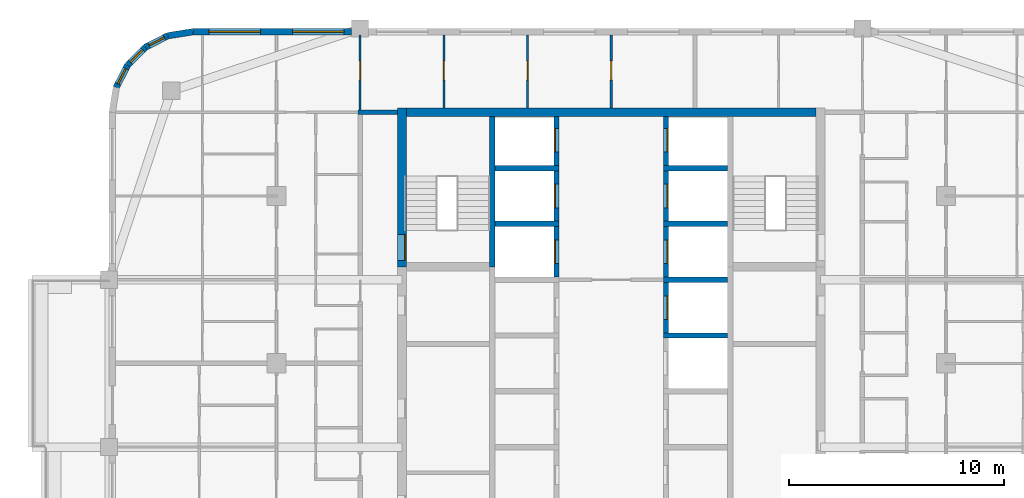
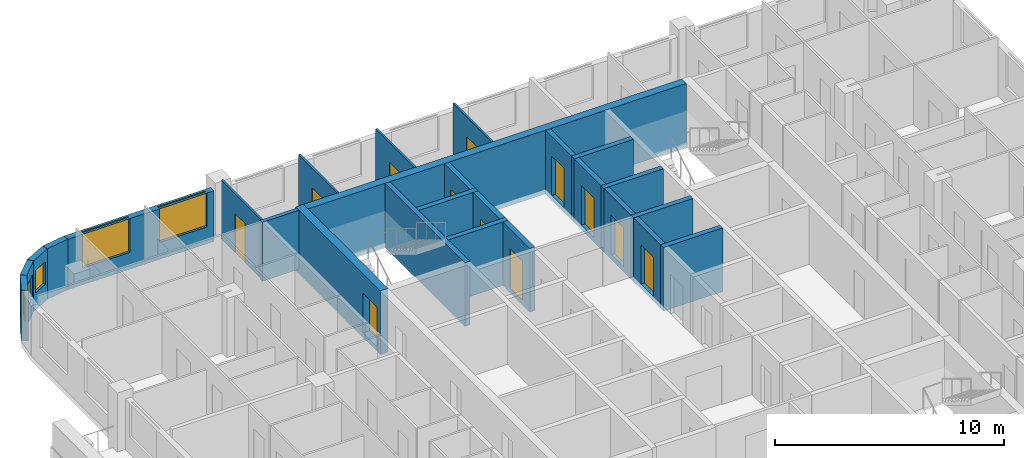
# One storey, part 10 of 17: 26 walls, 12 doors, 5 windows, 17 openings.
"""IFC4 building model written with IfcOpenShell, lengths in metres."""

from ifc_helpers import new_model, si_unit, direction, frame, frame_2d, origin, place, context, subcontext, project, spatial, rectangle, extrude, material, layer, layer_set, type_object, element, fill, save


model = new_model("IFC4")

# Units and contexts
model_context = context("Model", 3, precision=1e-05, world=origin(), true_north=direction((0.0, 1.0)))
body_context = subcontext(model_context, "Body", "Model", "MODEL_VIEW")
ifc_project = project(units=[si_unit("LENGTHUNIT", "METRE"), si_unit("AREAUNIT", "SQUARE_METRE"), si_unit("VOLUMEUNIT", "CUBIC_METRE"), si_unit("PLANEANGLEUNIT", "RADIAN"), si_unit("MASSUNIT", "GRAM", prefix="KILO")], contexts=[model_context])

# Site, building, storey
site_placement = place(None, origin())
site = spatial("IfcSite", under=ifc_project, at=site_placement, CompositionType="ELEMENT")
building_placement = place(site_placement, origin())
building = spatial("IfcBuilding", under=site, at=building_placement, Name="Ludao Terraces", CompositionType="ELEMENT")
storey_placement = place(building_placement, frame((0.0, 0.0, 231.300048828125)))
storey = spatial("IfcBuildingStorey", under=building, at=storey_placement, Name="L63", CompositionType="ELEMENT", Elevation=231.300048828125)

# Wall, opening, door
ifc_material_1 = material(Name="Concrete C50", Category="concrete")
ifc_layer_1 = layer(ifc_material_1, 0.39990234375)
ifc_layer_set_1 = layer_set([ifc_layer_1], Name="Core wall 400 C50")
wall_type_1 = type_object("IfcWallType", Name="Core wall 400 C50", PredefinedType="SOLIDWALL", material=ifc_layer_set_1)
wall_1_placement = place(storey_placement, frame((75.25, 77.300048828125, -0.25), z_axis=(0.0, 0.0, 1.0), x_axis=(0.0, 1.0, 0.0)))
wall_1 = element("IfcWall", 1, at=wall_1_placement, inside=storey, type_object=wall_type_1, Name="Core wall L63 outer-W-S1", PredefinedType="SOLIDWALL", context=body_context, shape_type="SweptSolid", body=[
    extrude(rectangle(XDim=7.39990234375, YDim=0.39990234375, at=frame_2d((3.699951171875, 0.0))), origin(), (0.0, 0.0, 1.0), 3.39990234375),
])
opening_1_placement = place(wall_1_placement, frame((0.300048828125, 0.0, 0.25)))
opening_1 = element("IfcOpeningElement", 2, at=opening_1_placement, cuts=wall_1, Name="Opening R22-109", PredefinedType="OPENING", context=body_context, shape_type="SweptSolid", body=[
    extrude(rectangle(XDim=1.199951171875, YDim=2.10009765625, at=frame_2d((0.60009765625, 1.050048828125))), frame((0.0, 0.2099609375, 0.0), z_axis=(0.0, -1.0, 0.0), x_axis=(1.0, 0.0, 0.0)), (0.0, 0.0, 1.0), 0.419921875),
])
ifc_material_2 = material(Name="Steel Q235", Category="steel")
door_type_1 = type_object("IfcDoorType", Name="INT Stair door 1200", OperationType="DOUBLE_DOOR_SINGLE_SWING", PredefinedType="DOOR", material=ifc_material_2)
door_1_placement = place(opening_1_placement, origin())
door_1 = element("IfcDoor", 3, at=door_1_placement, inside=storey, type_object=door_type_1, Name="DOOR 109", OperationType="DOUBLE_DOOR_SINGLE_SWING", OverallHeight=2.10009765625, OverallWidth=1.199951171875, PredefinedType="DOOR", context=body_context, shape_type="SweptSolid", body=[
    extrude(rectangle(XDim=1.199951171875, YDim=2.10009765625, at=frame_2d((0.60009765625, 1.050048828125))), frame((0.0, -0.134765625, 0.0), z_axis=(0.0, -1.0, 0.0), x_axis=(1.0, 0.0, 0.0)), (0.0, 0.0, 1.0), 0.050048828125),
])
fill(opening_1, door_1)

# Wall
wall_2_placement = place(storey_placement, frame((75.449951171875, 84.5, -0.25), z_axis=(0.0, 0.0, 1.0), x_axis=(1.0, 0.0, 0.0)))
element("IfcWall", 4, at=wall_2_placement, inside=storey, type_object=wall_type_1, Name="Core wall L63 outer-N", PredefinedType="SOLIDWALL", context=body_context, shape_type="SweptSolid", body=[
    extrude(rectangle(XDim=19.10009765625, YDim=0.39990234375, at=frame_2d((9.550048828125, 0.0))), origin(), (0.0, 0.0, 1.0), 3.39990234375),
])

# Wall, openings, windows
ifc_material_3 = material(Name="Granite cladding", Category="masonry")
ifc_layer_2 = layer(ifc_material_3, 0.0400390625, Category="stone")
ifc_material_4 = material(Name="Mineral wool")
ifc_layer_3 = layer(ifc_material_4, 0.06005859375)
ifc_material_5 = material(Name="Concrete C40", Category="concrete")
ifc_layer_4 = layer(ifc_material_5, 0.199951171875, Category="concrete")
ifc_layer_set_2 = layer_set([ifc_layer_2, ifc_layer_3, ifc_layer_4], Name="ENV Stone-clad wall 300")
wall_type_2 = type_object("IfcWallType", Name="ENV Stone-clad wall 300", PredefinedType="SOLIDWALL", material=ifc_layer_set_2)
wall_3_placement = place(storey_placement, frame((65.5, 88.25, 0.0), z_axis=(0.0, 0.0, 1.0), x_axis=(1.0, 0.0, 0.0)))
wall_3 = element("IfcWall", 5, at=wall_3_placement, inside=storey, type_object=wall_type_2, Name="EW-L63-N1", PredefinedType="SOLIDWALL", context=body_context, shape_type="SweptSolid", body=[
    extrude(rectangle(XDim=7.39990234375, YDim=0.300048828125, at=frame_2d((3.699951171875, 0.0))), origin(), (0.0, 0.0, 1.0), 2.699951171875),
])
opening_2_placement = place(wall_3_placement, frame((0.75, 0.0, 0.89990234375)))
opening_2 = element("IfcOpeningElement", 6, at=opening_2_placement, cuts=wall_3, Name="Opening W1", PredefinedType="OPENING", context=body_context, shape_type="SweptSolid", body=[
    extrude(rectangle(XDim=2.39990234375, YDim=1.800048828125, at=frame_2d((1.199951171875, 0.89990234375))), frame((0.0, 0.16015625, 0.0), z_axis=(0.0, -1.0, 0.0), x_axis=(1.0, 0.0, 0.0)), (0.0, 0.0, 1.0), 0.320068359375),
])
opening_3_placement = place(wall_3_placement, frame((4.64990234375, 0.0, 0.89990234375)))
opening_3 = element("IfcOpeningElement", 7, at=opening_3_placement, cuts=wall_3, Name="Opening W1", PredefinedType="OPENING", context=body_context, shape_type="SweptSolid", body=[
    extrude(rectangle(XDim=2.39990234375, YDim=1.800048828125, at=frame_2d((1.199951171875, 0.89990234375))), frame((0.0, 0.16015625, 0.0), z_axis=(0.0, -1.0, 0.0), x_axis=(1.0, 0.0, 0.0)), (0.0, 0.0, 1.0), 0.320068359375),
])
ifc_material_6 = material(Name="Clear glass in aluminium frame", Category="aluminium")
ifc_layer_5 = layer(ifc_material_6, 0.06005859375)
ifc_layer_set_3 = layer_set([ifc_layer_5], Name="ENV Window W1 2400x1800")
window_type_1 = type_object("IfcWindowType", Name="ENV Window W1 2400x1800", PartitioningType="DOUBLE_PANEL_VERTICAL", PredefinedType="WINDOW", material=ifc_layer_set_3)
window_1_placement = place(opening_2_placement, origin())
window_1 = element("IfcWindow", 8, at=window_1_placement, inside=storey, type_object=window_type_1, Name="W-L63-N1-1", OverallHeight=1.800048828125, OverallWidth=2.39990234375, PartitioningType="DOUBLE_PANEL_VERTICAL", PredefinedType="WINDOW", context=body_context, shape_type="SweptSolid", body=[
    extrude(rectangle(XDim=2.39990234375, YDim=1.800048828125, at=frame_2d((1.199951171875, 0.89990234375))), frame((0.0, 0.030029296875, 0.0), z_axis=(0.0, -1.0, 0.0), x_axis=(1.0, 0.0, 0.0)), (0.0, 0.0, 1.0), 0.06005859375),
])
fill(opening_2, window_1)
window_2_placement = place(opening_3_placement, origin())
window_2 = element("IfcWindow", 9, at=window_2_placement, inside=storey, type_object=window_type_1, Name="W-L63-N1-2", OverallHeight=1.800048828125, OverallWidth=2.39990234375, PartitioningType="DOUBLE_PANEL_VERTICAL", PredefinedType="WINDOW", context=body_context, shape_type="SweptSolid", body=[
    extrude(rectangle(XDim=2.39990234375, YDim=1.800048828125, at=frame_2d((1.199951171875, 0.89990234375))), frame((0.0, 0.030029296875, 0.0), z_axis=(0.0, -1.0, 0.0), x_axis=(1.0, 0.0, 0.0)), (0.0, 0.0, 1.0), 0.06005859375),
])
fill(opening_3, window_2)

# Wall
wall_4_placement = place(storey_placement, frame((65.5, 88.25, 0.0), z_axis=(0.0, 0.0, 1.0), x_axis=(-0.987678452879, -0.156496880861, 0.0)))
element("IfcWall", 10, at=wall_4_placement, inside=storey, type_object=wall_type_2, Name="EW-L63-NW1", PredefinedType="SOLIDWALL", context=body_context, shape_type="SweptSolid", body=[
    extrude(rectangle(XDim=1.173095703125, YDim=0.300048828125, at=frame_2d((0.58642578125, 0.0))), origin(), (0.0, 0.0, 1.0), 2.699951171875),
])

# Wall, opening, window
wall_5_placement = place(storey_placement, frame((64.34130859375, 88.06640625, 0.0), z_axis=(0.0, 0.0, 1.0), x_axis=(-0.890988677504, -0.454025524128, 0.0)))
wall_5 = element("IfcWall", 11, at=wall_5_placement, inside=storey, type_object=wall_type_2, Name="EW-L63-NW2", PredefinedType="SOLIDWALL", context=body_context, shape_type="SweptSolid", body=[
    extrude(rectangle(XDim=1.17333984375, YDim=0.300048828125, at=frame_2d((0.586669921875, 0.0))), origin(), (0.0, 0.0, 1.0), 2.699951171875),
])
opening_4_placement = place(wall_5_placement, frame((0.1865234375, 0.0, 0.89990234375)))
opening_4 = element("IfcOpeningElement", 12, at=opening_4_placement, cuts=wall_5, Name="Opening W3", PredefinedType="OPENING", context=body_context, shape_type="SweptSolid", body=[
    extrude(rectangle(XDim=0.800048828125, YDim=1.199951171875, at=frame_2d((0.39990234375, 0.60009765625))), frame((0.0, 0.16015625, 0.0), z_axis=(0.0, -1.0, 0.0), x_axis=(1.0, 0.0, 0.0)), (0.0, 0.0, 1.0), 0.320068359375),
])
ifc_layer_6 = layer(ifc_material_6, 0.06005859375)
ifc_layer_set_4 = layer_set([ifc_layer_6], Name="ENV Window W3 800x1200")
window_type_2 = type_object("IfcWindowType", Name="ENV Window W3 800x1200", PartitioningType="SINGLE_PANEL", PredefinedType="WINDOW", material=ifc_layer_set_4)
window_3_placement = place(opening_4_placement, origin())
window_3 = element("IfcWindow", 13, at=window_3_placement, inside=storey, type_object=window_type_2, Name="W-L63-NW2", OverallHeight=1.199951171875, OverallWidth=0.800048828125, PartitioningType="SINGLE_PANEL", PredefinedType="WINDOW", context=body_context, shape_type="SweptSolid", body=[
    extrude(rectangle(XDim=0.800048828125, YDim=1.199951171875, at=frame_2d((0.39990234375, 0.60009765625))), frame((0.0, 0.030029296875, 0.0), z_axis=(0.0, -1.0, 0.0), x_axis=(1.0, 0.0, 0.0)), (0.0, 0.0, 1.0), 0.06005859375),
])
fill(opening_4, window_3)

wall_6_placement = place(storey_placement, frame((63.2958984375, 87.53369140625, 0.0), z_axis=(0.0, 0.0, 1.0), x_axis=(-0.707106781187, -0.707106781187, 0.0)))
wall_6 = element("IfcWall", 14, at=wall_6_placement, inside=storey, type_object=wall_type_2, Name="EW-L63-NW3", PredefinedType="SOLIDWALL", context=body_context, shape_type="SweptSolid", body=[
    extrude(rectangle(XDim=1.173095703125, YDim=0.300048828125, at=frame_2d((0.58642578125, 0.0))), origin(), (0.0, 0.0, 1.0), 2.699951171875),
])
opening_5_placement = place(wall_6_placement, frame((0.1865234375, 0.0, 0.89990234375)))
opening_5 = element("IfcOpeningElement", 15, at=opening_5_placement, cuts=wall_6, Name="Opening W3", PredefinedType="OPENING", context=body_context, shape_type="SweptSolid", body=[
    extrude(rectangle(XDim=0.800048828125, YDim=1.199951171875, at=frame_2d((0.39990234375, 0.60009765625))), frame((0.0, 0.16015625, 0.0), z_axis=(0.0, -1.0, 0.0), x_axis=(1.0, 0.0, 0.0)), (0.0, 0.0, 1.0), 0.320068359375),
])
window_4_placement = place(opening_5_placement, origin())
window_4 = element("IfcWindow", 16, at=window_4_placement, inside=storey, type_object=window_type_2, Name="W-L63-NW3", OverallHeight=1.199951171875, OverallWidth=0.800048828125, PartitioningType="SINGLE_PANEL", PredefinedType="WINDOW", context=body_context, shape_type="SweptSolid", body=[
    extrude(rectangle(XDim=0.800048828125, YDim=1.199951171875, at=frame_2d((0.39990234375, 0.60009765625))), frame((0.0, 0.030029296875, 0.0), z_axis=(0.0, -1.0, 0.0), x_axis=(1.0, 0.0, 0.0)), (0.0, 0.0, 1.0), 0.06005859375),
])
fill(opening_5, window_4)

wall_7_placement = place(storey_placement, frame((62.46630859375, 86.7041015625, 0.0), z_axis=(0.0, 0.0, 1.0), x_axis=(-0.454025524128, -0.890988677504, 0.0)))
wall_7 = element("IfcWall", 17, at=wall_7_placement, inside=storey, type_object=wall_type_2, Name="EW-L63-NW4", PredefinedType="SOLIDWALL", context=body_context, shape_type="SweptSolid", body=[
    extrude(rectangle(XDim=1.17333984375, YDim=0.300048828125, at=frame_2d((0.586669921875, 0.0))), origin(), (0.0, 0.0, 1.0), 2.699951171875),
])
opening_6_placement = place(wall_7_placement, frame((0.1865234375, 0.0, 0.89990234375)))
opening_6 = element("IfcOpeningElement", 18, at=opening_6_placement, cuts=wall_7, Name="Opening W3", PredefinedType="OPENING", context=body_context, shape_type="SweptSolid", body=[
    extrude(rectangle(XDim=0.800048828125, YDim=1.199951171875, at=frame_2d((0.39990234375, 0.60009765625))), frame((0.0, 0.16015625, 0.0), z_axis=(0.0, -1.0, 0.0), x_axis=(1.0, 0.0, 0.0)), (0.0, 0.0, 1.0), 0.320068359375),
])
window_5_placement = place(opening_6_placement, origin())
window_5 = element("IfcWindow", 19, at=window_5_placement, inside=storey, type_object=window_type_2, Name="W-L63-NW4", OverallHeight=1.199951171875, OverallWidth=0.800048828125, PartitioningType="SINGLE_PANEL", PredefinedType="WINDOW", context=body_context, shape_type="SweptSolid", body=[
    extrude(rectangle(XDim=0.800048828125, YDim=1.199951171875, at=frame_2d((0.39990234375, 0.60009765625))), frame((0.0, 0.030029296875, 0.0), z_axis=(0.0, -1.0, 0.0), x_axis=(1.0, 0.0, 0.0)), (0.0, 0.0, 1.0), 0.06005859375),
])
fill(opening_6, window_5)

# Wall
ifc_material_7 = material(Name="Autoclaved aerated concrete block B06 A3.5", Category="concrete")
ifc_layer_7 = layer(ifc_material_7, 0.199951171875)
ifc_layer_set_5 = layer_set([ifc_layer_7], Name="INT Entrance wall 200")
wall_type_3 = type_object("IfcWallType", Name="INT Entrance wall 200", PredefinedType="PARTITIONING", material=ifc_layer_set_5)
wall_8_placement = place(storey_placement, frame((73.2001953125, 84.5, 0.0), z_axis=(0.0, 0.0, 1.0), x_axis=(1.0, 0.0, 0.0)))
element("IfcWall", 20, at=wall_8_placement, inside=storey, type_object=wall_type_3, Name="PW-L63-PW066", PredefinedType="PARTITIONING", context=body_context, shape_type="SweptSolid", body=[
    extrude(rectangle(XDim=1.849853515625, YDim=0.199951171875, at=frame_2d((0.9248046875, 0.0))), origin(), (0.0, 0.0, 1.0), 3.14990234375),
])

# Wall, opening, door
ifc_material_8 = material(Name="Gypsum plasterboard", Category="gypsum")
ifc_layer_8 = layer(ifc_material_8, 0.012451171875, Category="gypsum")
ifc_layer_9 = layer(ifc_material_4, 0.06005859375, Name="insulation")
ifc_layer_10 = layer(ifc_material_2, 0.014892578125, Name="stud")
ifc_layer_11 = layer(ifc_material_8, 0.012451171875, Category="gypsum")
ifc_layer_set_6 = layer_set([ifc_layer_8, ifc_layer_9, ifc_layer_10, ifc_layer_11], Name="INT Partition 100")
wall_type_4 = type_object("IfcWallType", Name="INT Partition 100", PredefinedType="PARTITIONING", material=ifc_layer_set_6)
wall_9_placement = place(storey_placement, frame((73.300048828125, 84.60009765625, 0.0), z_axis=(0.0, 0.0, 1.0), x_axis=(0.0, 1.0, 0.0)))
wall_9 = element("IfcWall", 21, at=wall_9_placement, inside=storey, type_object=wall_type_4, Name="PW-L63-PW079", PredefinedType="PARTITIONING", context=body_context, shape_type="SweptSolid", body=[
    extrude(rectangle(XDim=3.5, YDim=0.10009765625, at=frame_2d((1.75, 0.0))), origin(), (0.0, 0.0, 1.0), 3.14990234375),
])
opening_7_placement = place(wall_9_placement, frame((1.39990234375, 0.0, 0.0)))
opening_7 = element("IfcOpeningElement", 22, at=opening_7_placement, cuts=wall_9, Name="Opening R22-133", PredefinedType="OPENING", context=body_context, shape_type="SweptSolid", body=[
    extrude(rectangle(XDim=0.89990234375, YDim=2.10009765625, at=frame_2d((0.449951171875, 1.050048828125))), frame((0.0, 0.06005859375, 0.0), z_axis=(0.0, -1.0, 0.0), x_axis=(1.0, 0.0, 0.0)), (0.0, 0.0, 1.0), 0.1201171875),
])
ifc_material_9 = material(Name="Timber door leaf", Category="wood")
door_type_2 = type_object("IfcDoorType", Name="INT Room door 900", OperationType="SINGLE_SWING_LEFT", PredefinedType="DOOR", material=ifc_material_9)
door_2_placement = place(opening_7_placement, origin())
door_2 = element("IfcDoor", 23, at=door_2_placement, inside=storey, type_object=door_type_2, Name="DOOR 133", OperationType="SINGLE_SWING_LEFT", OverallHeight=2.10009765625, OverallWidth=0.89990234375, PredefinedType="DOOR", context=body_context, shape_type="SweptSolid", body=[
    extrude(rectangle(XDim=0.89990234375, YDim=2.10009765625, at=frame_2d((0.449951171875, 1.050048828125))), frame((0.0, 0.02490234375, 0.0), z_axis=(0.0, -1.0, 0.0), x_axis=(1.0, 0.0, 0.0)), (0.0, 0.0, 1.0), 0.050048828125),
])
fill(opening_7, door_2)

wall_10_placement = place(storey_placement, frame((77.199951171875, 84.7001953125, 0.0), z_axis=(0.0, 0.0, 1.0), x_axis=(0.0, 1.0, 0.0)))
wall_10 = element("IfcWall", 24, at=wall_10_placement, inside=storey, type_object=wall_type_4, Name="PW-L63-PW080", PredefinedType="PARTITIONING", context=body_context, shape_type="SweptSolid", body=[
    extrude(rectangle(XDim=3.39990234375, YDim=0.10009765625, at=frame_2d((1.699951171875, 0.0))), origin(), (0.0, 0.0, 1.0), 3.14990234375),
])
opening_8_placement = place(wall_10_placement, frame((1.2998046875, 0.0, 0.0)))
opening_8 = element("IfcOpeningElement", 25, at=opening_8_placement, cuts=wall_10, Name="Opening R22-134", PredefinedType="OPENING", context=body_context, shape_type="SweptSolid", body=[
    extrude(rectangle(XDim=0.89990234375, YDim=2.10009765625, at=frame_2d((0.449951171875, 1.050048828125))), frame((0.0, 0.06005859375, 0.0), z_axis=(0.0, -1.0, 0.0), x_axis=(1.0, 0.0, 0.0)), (0.0, 0.0, 1.0), 0.1201171875),
])
door_3_placement = place(opening_8_placement, origin())
door_3 = element("IfcDoor", 26, at=door_3_placement, inside=storey, type_object=door_type_2, Name="DOOR 134", OperationType="SINGLE_SWING_LEFT", OverallHeight=2.10009765625, OverallWidth=0.89990234375, PredefinedType="DOOR", context=body_context, shape_type="SweptSolid", body=[
    extrude(rectangle(XDim=0.89990234375, YDim=2.10009765625, at=frame_2d((0.449951171875, 1.050048828125))), frame((0.0, 0.02490234375, 0.0), z_axis=(0.0, -1.0, 0.0), x_axis=(1.0, 0.0, 0.0)), (0.0, 0.0, 1.0), 0.050048828125),
])
fill(opening_8, door_3)

wall_11_placement = place(storey_placement, frame((81.10009765625, 84.7001953125, 0.0), z_axis=(0.0, 0.0, 1.0), x_axis=(0.0, 1.0, 0.0)))
wall_11 = element("IfcWall", 27, at=wall_11_placement, inside=storey, type_object=wall_type_4, Name="PW-L63-PW081", PredefinedType="PARTITIONING", context=body_context, shape_type="SweptSolid", body=[
    extrude(rectangle(XDim=3.39990234375, YDim=0.10009765625, at=frame_2d((1.699951171875, 0.0))), origin(), (0.0, 0.0, 1.0), 3.14990234375),
])
opening_9_placement = place(wall_11_placement, frame((1.2998046875, 0.0, 0.0)))
opening_9 = element("IfcOpeningElement", 28, at=opening_9_placement, cuts=wall_11, Name="Opening R22-135", PredefinedType="OPENING", context=body_context, shape_type="SweptSolid", body=[
    extrude(rectangle(XDim=0.89990234375, YDim=2.10009765625, at=frame_2d((0.449951171875, 1.050048828125))), frame((0.0, 0.06005859375, 0.0), z_axis=(0.0, -1.0, 0.0), x_axis=(1.0, 0.0, 0.0)), (0.0, 0.0, 1.0), 0.1201171875),
])
door_4_placement = place(opening_9_placement, origin())
door_4 = element("IfcDoor", 29, at=door_4_placement, inside=storey, type_object=door_type_2, Name="DOOR 135", OperationType="SINGLE_SWING_RIGHT", OverallHeight=2.10009765625, OverallWidth=0.89990234375, PredefinedType="DOOR", context=body_context, shape_type="SweptSolid", body=[
    extrude(rectangle(XDim=0.89990234375, YDim=2.10009765625, at=frame_2d((0.449951171875, 1.050048828125))), frame((0.0, 0.02490234375, 0.0), z_axis=(0.0, -1.0, 0.0), x_axis=(1.0, 0.0, 0.0)), (0.0, 0.0, 1.0), 0.050048828125),
])
fill(opening_9, door_4)

wall_12_placement = place(storey_placement, frame((85.0, 84.7001953125, 0.0), z_axis=(0.0, 0.0, 1.0), x_axis=(0.0, 1.0, 0.0)))
wall_12 = element("IfcWall", 30, at=wall_12_placement, inside=storey, type_object=wall_type_4, Name="PW-L63-PW083", PredefinedType="PARTITIONING", context=body_context, shape_type="SweptSolid", body=[
    extrude(rectangle(XDim=3.39990234375, YDim=0.10009765625, at=frame_2d((1.699951171875, 0.0))), origin(), (0.0, 0.0, 1.0), 3.14990234375),
])
opening_10_placement = place(wall_12_placement, frame((1.2998046875, 0.0, 0.0)))
opening_10 = element("IfcOpeningElement", 31, at=opening_10_placement, cuts=wall_12, Name="Opening R22-136", PredefinedType="OPENING", context=body_context, shape_type="SweptSolid", body=[
    extrude(rectangle(XDim=0.89990234375, YDim=2.10009765625, at=frame_2d((0.449951171875, 1.050048828125))), frame((0.0, 0.06005859375, 0.0), z_axis=(0.0, -1.0, 0.0), x_axis=(1.0, 0.0, 0.0)), (0.0, 0.0, 1.0), 0.1201171875),
])
door_5_placement = place(opening_10_placement, origin())
door_5 = element("IfcDoor", 32, at=door_5_placement, inside=storey, type_object=door_type_2, Name="DOOR 136", OperationType="SINGLE_SWING_LEFT", OverallHeight=2.10009765625, OverallWidth=0.89990234375, PredefinedType="DOOR", context=body_context, shape_type="SweptSolid", body=[
    extrude(rectangle(XDim=0.89990234375, YDim=2.10009765625, at=frame_2d((0.449951171875, 1.050048828125))), frame((0.0, 0.02490234375, 0.0), z_axis=(0.0, -1.0, 0.0), x_axis=(1.0, 0.0, 0.0)), (0.0, 0.0, 1.0), 0.050048828125),
])
fill(opening_10, door_5)

# Wall
ifc_layer_12 = layer(ifc_material_1, 0.25)
ifc_layer_set_7 = layer_set([ifc_layer_12], Name="Shaft wall 250 C50")
wall_type_5 = type_object("IfcWallType", Name="Shaft wall 250 C50", PredefinedType="SOLIDWALL", material=ifc_layer_set_7)
wall_13_placement = place(storey_placement, frame((79.449951171875, 77.300048828125, -0.25), z_axis=(0.0, 0.0, 1.0), x_axis=(0.0, 1.0, 0.0)))
element("IfcWall", 33, at=wall_13_placement, inside=storey, type_object=wall_type_5, Name="Core wall L63 back-W-S1", PredefinedType="SOLIDWALL", context=body_context, shape_type="SweptSolid", body=[
    extrude(rectangle(XDim=7.0, YDim=0.25, at=frame_2d((3.5, 0.0))), origin(), (0.0, 0.0, 1.0), 3.39990234375),
])

# Wall, opening, door
wall_14_placement = place(storey_placement, frame((82.449951171875, 76.824951171875, -0.25), z_axis=(0.0, 0.0, 1.0), x_axis=(0.0, 1.0, 0.0)))
wall_14 = element("IfcWall", 34, at=wall_14_placement, inside=storey, type_object=wall_type_5, Name="Core wall L63 front-W7", PredefinedType="SOLIDWALL", context=body_context, shape_type="SweptSolid", body=[
    extrude(rectangle(XDim=2.35009765625, YDim=0.25, at=frame_2d((1.175048828125, 0.0))), origin(), (0.0, 0.0, 1.0), 3.39990234375),
])
opening_11_placement = place(wall_14_placement, frame((0.625, 0.0, 0.25)))
opening_11 = element("IfcOpeningElement", 35, at=opening_11_placement, cuts=wall_14, Name="Opening LD-FF1", PredefinedType="OPENING", context=body_context, shape_type="SweptSolid", body=[
    extrude(rectangle(XDim=1.10009765625, YDim=2.10009765625, at=frame_2d((0.550048828125, 1.050048828125))), frame((0.0, 0.135009765625, 0.0), z_axis=(0.0, -1.0, 0.0), x_axis=(1.0, 0.0, 0.0)), (0.0, 0.0, 1.0), 0.27001953125),
])
ifc_material_10 = material(Name="Stainless steel 304", Category="steel")
door_type_3 = type_object("IfcDoorType", Name="INT Lift landing door 1100", OperationType="SLIDING_TO_LEFT", PredefinedType="DOOR", material=ifc_material_10)
door_6_placement = place(opening_11_placement, origin())
door_6 = element("IfcDoor", 36, at=door_6_placement, inside=storey, type_object=door_type_3, Name="LANDING DOOR FF1 L63", OperationType="SLIDING_TO_LEFT", OverallHeight=2.10009765625, OverallWidth=1.10009765625, PredefinedType="DOOR", context=body_context, shape_type="SweptSolid", body=[
    extrude(rectangle(XDim=1.10009765625, YDim=2.10009765625, at=frame_2d((0.550048828125, 1.050048828125))), frame((0.0, 0.10986328125, 0.0), z_axis=(0.0, -1.0, 0.0), x_axis=(1.0, 0.0, 0.0)), (0.0, 0.0, 1.0), 0.050048828125),
])
fill(opening_11, door_6)

# Wall
wall_15_placement = place(storey_placement, frame((79.574951171875, 79.300048828125, -0.25), z_axis=(0.0, 0.0, 1.0), x_axis=(1.0, 0.0, 0.0)))
element("IfcWall", 37, at=wall_15_placement, inside=storey, type_object=wall_type_5, Name="Core wall L63 div-W8", PredefinedType="SOLIDWALL", context=body_context, shape_type="SweptSolid", body=[
    extrude(rectangle(XDim=3.0, YDim=0.25, at=frame_2d((1.5, 0.0))), origin(), (0.0, 0.0, 1.0), 3.39990234375),
])

# Wall, opening, door
wall_16_placement = place(storey_placement, frame((82.449951171875, 79.425048828125, -0.25), z_axis=(0.0, 0.0, 1.0), x_axis=(0.0, 1.0, 0.0)))
wall_16 = element("IfcWall", 38, at=wall_16_placement, inside=storey, type_object=wall_type_5, Name="Core wall L63 front-W8", PredefinedType="SOLIDWALL", context=body_context, shape_type="SweptSolid", body=[
    extrude(rectangle(XDim=2.349853515625, YDim=0.25, at=frame_2d((1.1748046875, 0.0))), origin(), (0.0, 0.0, 1.0), 3.39990234375),
])
opening_12_placement = place(wall_16_placement, frame((0.625, 0.0, 0.25)))
opening_12 = element("IfcOpeningElement", 39, at=opening_12_placement, cuts=wall_16, Name="Opening LD-FF2", PredefinedType="OPENING", context=body_context, shape_type="SweptSolid", body=[
    extrude(rectangle(XDim=1.10009765625, YDim=2.10009765625, at=frame_2d((0.550048828125, 1.050048828125))), frame((0.0, 0.135009765625, 0.0), z_axis=(0.0, -1.0, 0.0), x_axis=(1.0, 0.0, 0.0)), (0.0, 0.0, 1.0), 0.27001953125),
])
door_7_placement = place(opening_12_placement, origin())
door_7 = element("IfcDoor", 40, at=door_7_placement, inside=storey, type_object=door_type_3, Name="LANDING DOOR FF2 L63", OperationType="SLIDING_TO_LEFT", OverallHeight=2.10009765625, OverallWidth=1.10009765625, PredefinedType="DOOR", context=body_context, shape_type="SweptSolid", body=[
    extrude(rectangle(XDim=1.10009765625, YDim=2.10009765625, at=frame_2d((0.550048828125, 1.050048828125))), frame((0.0, 0.10986328125, 0.0), z_axis=(0.0, -1.0, 0.0), x_axis=(1.0, 0.0, 0.0)), (0.0, 0.0, 1.0), 0.050048828125),
])
fill(opening_12, door_7)

# Wall
wall_17_placement = place(storey_placement, frame((79.574951171875, 81.89990234375, -0.25), z_axis=(0.0, 0.0, 1.0), x_axis=(1.0, 0.0, 0.0)))
element("IfcWall", 41, at=wall_17_placement, inside=storey, type_object=wall_type_5, Name="Core wall L63 div-W9", PredefinedType="SOLIDWALL", context=body_context, shape_type="SweptSolid", body=[
    extrude(rectangle(XDim=3.0, YDim=0.25, at=frame_2d((1.5, 0.0))), origin(), (0.0, 0.0, 1.0), 3.39990234375),
])

# Wall, opening, door
wall_18_placement = place(storey_placement, frame((82.449951171875, 82.02490234375, -0.25), z_axis=(0.0, 0.0, 1.0), x_axis=(0.0, 1.0, 0.0)))
wall_18 = element("IfcWall", 42, at=wall_18_placement, inside=storey, type_object=wall_type_5, Name="Core wall L63 front-W9", PredefinedType="SOLIDWALL", context=body_context, shape_type="SweptSolid", body=[
    extrude(rectangle(XDim=2.275146484375, YDim=0.25, at=frame_2d((1.1376953125, 0.0))), origin(), (0.0, 0.0, 1.0), 3.39990234375),
])
opening_13_placement = place(wall_18_placement, frame((0.625, 0.0, 0.25)))
opening_13 = element("IfcOpeningElement", 43, at=opening_13_placement, cuts=wall_18, Name="Opening LD-LB6", PredefinedType="OPENING", context=body_context, shape_type="SweptSolid", body=[
    extrude(rectangle(XDim=1.10009765625, YDim=2.10009765625, at=frame_2d((0.550048828125, 1.050048828125))), frame((0.0, 0.135009765625, 0.0), z_axis=(0.0, -1.0, 0.0), x_axis=(1.0, 0.0, 0.0)), (0.0, 0.0, 1.0), 0.27001953125),
])
door_8_placement = place(opening_13_placement, origin())
door_8 = element("IfcDoor", 44, at=door_8_placement, inside=storey, type_object=door_type_3, Name="LANDING DOOR LB6 L63", OperationType="SLIDING_TO_RIGHT", OverallHeight=2.10009765625, OverallWidth=1.10009765625, PredefinedType="DOOR", context=body_context, shape_type="SweptSolid", body=[
    extrude(rectangle(XDim=1.10009765625, YDim=2.10009765625, at=frame_2d((0.550048828125, 1.050048828125))), frame((0.0, 0.10986328125, 0.0), z_axis=(0.0, -1.0, 0.0), x_axis=(1.0, 0.0, 0.0)), (0.0, 0.0, 1.0), 0.050048828125),
])
fill(opening_13, door_8)

# Wall
wall_19_placement = place(storey_placement, frame((87.425048828125, 74.10009765625, -0.25), z_axis=(0.0, 0.0, 1.0), x_axis=(1.0, 0.0, 0.0)))
element("IfcWall", 45, at=wall_19_placement, inside=storey, type_object=wall_type_5, Name="Core wall L63 div-E6", PredefinedType="SOLIDWALL", context=body_context, shape_type="SweptSolid", body=[
    extrude(rectangle(XDim=3.0, YDim=0.25, at=frame_2d((1.5, 0.0))), origin(), (0.0, 0.0, 1.0), 3.39990234375),
])

# Wall, opening, door
wall_20_placement = place(storey_placement, frame((87.550048828125, 74.22509765625, -0.25), z_axis=(0.0, 0.0, 1.0), x_axis=(0.0, 1.0, 0.0)))
wall_20 = element("IfcWall", 46, at=wall_20_placement, inside=storey, type_object=wall_type_5, Name="Core wall L63 front-E6", PredefinedType="SOLIDWALL", context=body_context, shape_type="SweptSolid", body=[
    extrude(rectangle(XDim=2.349853515625, YDim=0.25, at=frame_2d((1.1748046875, 0.0))), origin(), (0.0, 0.0, 1.0), 3.39990234375),
])
opening_14_placement = place(wall_20_placement, frame((0.625, 0.0, 0.25)))
opening_14 = element("IfcOpeningElement", 47, at=opening_14_placement, cuts=wall_20, Name="Opening LD-LB2", PredefinedType="OPENING", context=body_context, shape_type="SweptSolid", body=[
    extrude(rectangle(XDim=1.10009765625, YDim=2.10009765625, at=frame_2d((0.550048828125, 1.050048828125))), frame((0.0, 0.135009765625, 0.0), z_axis=(0.0, -1.0, 0.0), x_axis=(1.0, 0.0, 0.0)), (0.0, 0.0, 1.0), 0.27001953125),
])
door_9_placement = place(opening_14_placement, origin())
door_9 = element("IfcDoor", 48, at=door_9_placement, inside=storey, type_object=door_type_3, Name="LANDING DOOR LB2 L63", OperationType="SLIDING_TO_LEFT", OverallHeight=2.10009765625, OverallWidth=1.10009765625, PredefinedType="DOOR", context=body_context, shape_type="SweptSolid", body=[
    extrude(rectangle(XDim=1.10009765625, YDim=2.10009765625, at=frame_2d((0.550048828125, 1.050048828125))), frame((0.0, -0.06005859375, 0.0), z_axis=(0.0, -1.0, 0.0), x_axis=(1.0, 0.0, 0.0)), (0.0, 0.0, 1.0), 0.050048828125),
])
fill(opening_14, door_9)

# Wall
wall_21_placement = place(storey_placement, frame((87.425048828125, 76.699951171875, -0.25), z_axis=(0.0, 0.0, 1.0), x_axis=(1.0, 0.0, 0.0)))
element("IfcWall", 49, at=wall_21_placement, inside=storey, type_object=wall_type_5, Name="Core wall L63 div-E7", PredefinedType="SOLIDWALL", context=body_context, shape_type="SweptSolid", body=[
    extrude(rectangle(XDim=3.0, YDim=0.25, at=frame_2d((1.5, 0.0))), origin(), (0.0, 0.0, 1.0), 3.39990234375),
])

# Wall, opening, door
wall_22_placement = place(storey_placement, frame((87.550048828125, 76.824951171875, -0.25), z_axis=(0.0, 0.0, 1.0), x_axis=(0.0, 1.0, 0.0)))
wall_22 = element("IfcWall", 50, at=wall_22_placement, inside=storey, type_object=wall_type_5, Name="Core wall L63 front-E7", PredefinedType="SOLIDWALL", context=body_context, shape_type="SweptSolid", body=[
    extrude(rectangle(XDim=2.35009765625, YDim=0.25, at=frame_2d((1.175048828125, 0.0))), origin(), (0.0, 0.0, 1.0), 3.39990234375),
])
opening_15_placement = place(wall_22_placement, frame((0.625, 0.0, 0.25)))
opening_15 = element("IfcOpeningElement", 51, at=opening_15_placement, cuts=wall_22, Name="Opening LD-LB3", PredefinedType="OPENING", context=body_context, shape_type="SweptSolid", body=[
    extrude(rectangle(XDim=1.10009765625, YDim=2.10009765625, at=frame_2d((0.550048828125, 1.050048828125))), frame((0.0, 0.135009765625, 0.0), z_axis=(0.0, -1.0, 0.0), x_axis=(1.0, 0.0, 0.0)), (0.0, 0.0, 1.0), 0.27001953125),
])
door_10_placement = place(opening_15_placement, origin())
door_10 = element("IfcDoor", 52, at=door_10_placement, inside=storey, type_object=door_type_3, Name="LANDING DOOR LB3 L63", OperationType="SLIDING_TO_LEFT", OverallHeight=2.10009765625, OverallWidth=1.10009765625, PredefinedType="DOOR", context=body_context, shape_type="SweptSolid", body=[
    extrude(rectangle(XDim=1.10009765625, YDim=2.10009765625, at=frame_2d((0.550048828125, 1.050048828125))), frame((0.0, -0.06005859375, 0.0), z_axis=(0.0, -1.0, 0.0), x_axis=(1.0, 0.0, 0.0)), (0.0, 0.0, 1.0), 0.050048828125),
])
fill(opening_15, door_10)

# Wall
wall_23_placement = place(storey_placement, frame((87.425048828125, 79.300048828125, -0.25), z_axis=(0.0, 0.0, 1.0), x_axis=(1.0, 0.0, 0.0)))
element("IfcWall", 53, at=wall_23_placement, inside=storey, type_object=wall_type_5, Name="Core wall L63 div-E8", PredefinedType="SOLIDWALL", context=body_context, shape_type="SweptSolid", body=[
    extrude(rectangle(XDim=3.0, YDim=0.25, at=frame_2d((1.5, 0.0))), origin(), (0.0, 0.0, 1.0), 3.39990234375),
])

# Wall, opening, door
wall_24_placement = place(storey_placement, frame((87.550048828125, 79.425048828125, -0.25), z_axis=(0.0, 0.0, 1.0), x_axis=(0.0, 1.0, 0.0)))
wall_24 = element("IfcWall", 54, at=wall_24_placement, inside=storey, type_object=wall_type_5, Name="Core wall L63 front-E8", PredefinedType="SOLIDWALL", context=body_context, shape_type="SweptSolid", body=[
    extrude(rectangle(XDim=2.349853515625, YDim=0.25, at=frame_2d((1.1748046875, 0.0))), origin(), (0.0, 0.0, 1.0), 3.39990234375),
])
opening_16_placement = place(wall_24_placement, frame((0.625, 0.0, 0.25)))
opening_16 = element("IfcOpeningElement", 55, at=opening_16_placement, cuts=wall_24, Name="Opening LD-LB4", PredefinedType="OPENING", context=body_context, shape_type="SweptSolid", body=[
    extrude(rectangle(XDim=1.10009765625, YDim=2.10009765625, at=frame_2d((0.550048828125, 1.050048828125))), frame((0.0, 0.135009765625, 0.0), z_axis=(0.0, -1.0, 0.0), x_axis=(1.0, 0.0, 0.0)), (0.0, 0.0, 1.0), 0.27001953125),
])
door_11_placement = place(opening_16_placement, origin())
door_11 = element("IfcDoor", 56, at=door_11_placement, inside=storey, type_object=door_type_3, Name="LANDING DOOR LB4 L63", OperationType="SLIDING_TO_RIGHT", OverallHeight=2.10009765625, OverallWidth=1.10009765625, PredefinedType="DOOR", context=body_context, shape_type="SweptSolid", body=[
    extrude(rectangle(XDim=1.10009765625, YDim=2.10009765625, at=frame_2d((0.550048828125, 1.050048828125))), frame((0.0, -0.06005859375, 0.0), z_axis=(0.0, -1.0, 0.0), x_axis=(1.0, 0.0, 0.0)), (0.0, 0.0, 1.0), 0.050048828125),
])
fill(opening_16, door_11)

# Wall
wall_25_placement = place(storey_placement, frame((87.425048828125, 81.89990234375, -0.25), z_axis=(0.0, 0.0, 1.0), x_axis=(1.0, 0.0, 0.0)))
element("IfcWall", 57, at=wall_25_placement, inside=storey, type_object=wall_type_5, Name="Core wall L63 div-E9", PredefinedType="SOLIDWALL", context=body_context, shape_type="SweptSolid", body=[
    extrude(rectangle(XDim=3.0, YDim=0.25, at=frame_2d((1.5, 0.0))), origin(), (0.0, 0.0, 1.0), 3.39990234375),
])

# Wall, opening, door
wall_26_placement = place(storey_placement, frame((87.550048828125, 82.02490234375, -0.25), z_axis=(0.0, 0.0, 1.0), x_axis=(0.0, 1.0, 0.0)))
wall_26 = element("IfcWall", 58, at=wall_26_placement, inside=storey, type_object=wall_type_5, Name="Core wall L63 front-E9", PredefinedType="SOLIDWALL", context=body_context, shape_type="SweptSolid", body=[
    extrude(rectangle(XDim=2.275146484375, YDim=0.25, at=frame_2d((1.1376953125, 0.0))), origin(), (0.0, 0.0, 1.0), 3.39990234375),
])
opening_17_placement = place(wall_26_placement, frame((0.625, 0.0, 0.25)))
opening_17 = element("IfcOpeningElement", 59, at=opening_17_placement, cuts=wall_26, Name="Opening LD-LB5", PredefinedType="OPENING", context=body_context, shape_type="SweptSolid", body=[
    extrude(rectangle(XDim=1.10009765625, YDim=2.10009765625, at=frame_2d((0.550048828125, 1.050048828125))), frame((0.0, 0.135009765625, 0.0), z_axis=(0.0, -1.0, 0.0), x_axis=(1.0, 0.0, 0.0)), (0.0, 0.0, 1.0), 0.27001953125),
])
door_12_placement = place(opening_17_placement, origin())
door_12 = element("IfcDoor", 60, at=door_12_placement, inside=storey, type_object=door_type_3, Name="LANDING DOOR LB5 L63", OperationType="SLIDING_TO_RIGHT", OverallHeight=2.10009765625, OverallWidth=1.10009765625, PredefinedType="DOOR", context=body_context, shape_type="SweptSolid", body=[
    extrude(rectangle(XDim=1.10009765625, YDim=2.10009765625, at=frame_2d((0.550048828125, 1.050048828125))), frame((0.0, -0.06005859375, 0.0), z_axis=(0.0, -1.0, 0.0), x_axis=(1.0, 0.0, 0.0)), (0.0, 0.0, 1.0), 0.050048828125),
])
fill(opening_17, door_12)

save(model, "model.ifc")
